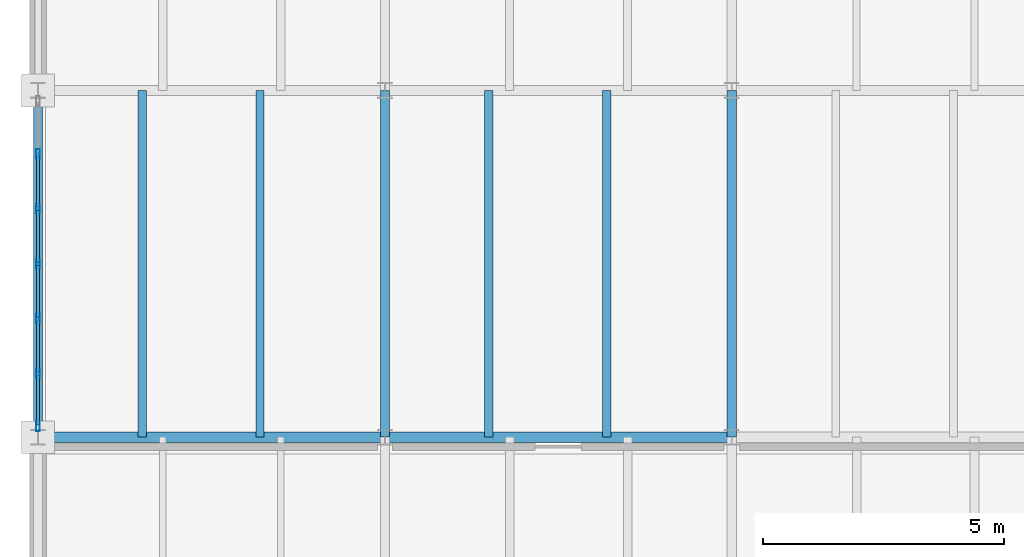
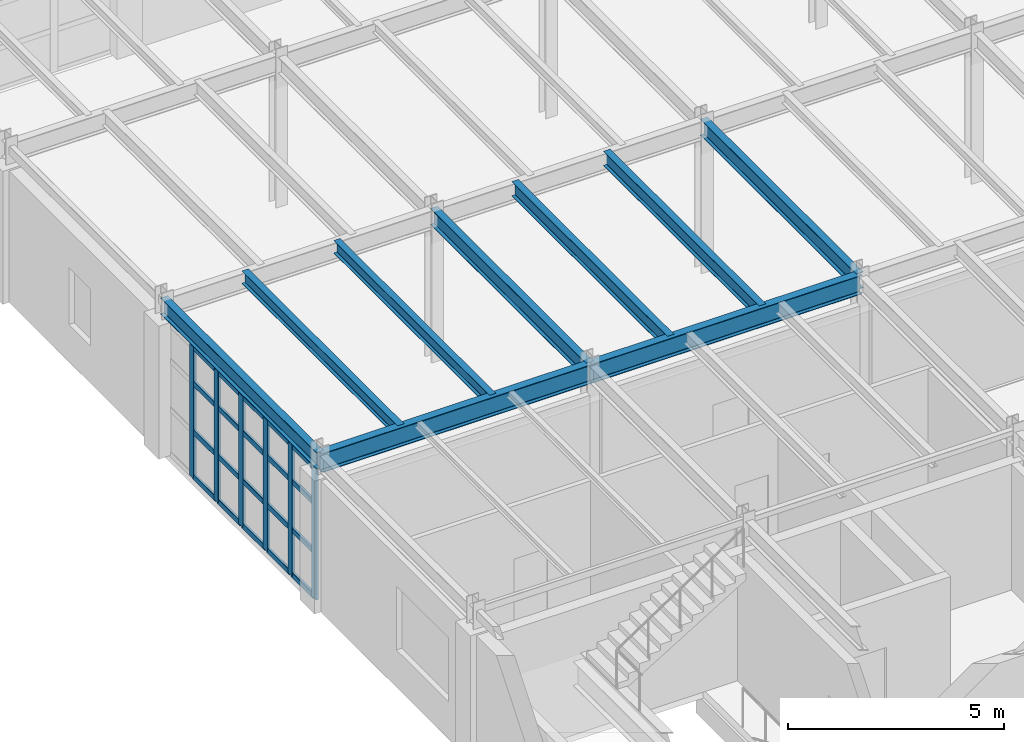
# One storey, part 34 of 137: 26 members, 9 beams, 1 element without a shape of its own.
"""IFC4 building model written with IfcOpenShell, lengths in metres."""

import ifcopenshell
import ifcopenshell.guid

model = None  # the IFC model being written
_history = None  # IfcOwnerHistory: only IFC2X3 demands one
_inside = {}  # id of a spatial element -> (the spatial element, [elements in it])
_under = {}  # id of a project, library or spatial element -> (it, [spatial elements below it])
_declared = {}  # id of a project -> (the project, [libraries it declares])
_typed = {}  # id of a type object -> (the type object, [elements of that type])
_made_of = {}  # id of a material, layer set ... -> (it, [elements and type objects made of it])


def new_model(schema):
    """Start an empty IFC model of exactly this schema.

    Asked for "IFC4X3", IfcOpenShell would pick the latest addendum, in which some entities
    have other attributes; the version numbers below select the first issue.
    IFC2X3 requires an IfcOwnerHistory on every rooted entity: one is made here for all.
    """
    global model, _history
    if schema == "IFC4X3":
        model = ifcopenshell.file(schema_version=(4, 3, 0, 0))
    else:
        model = ifcopenshell.file(schema=schema)
    _inside.clear()
    _under.clear()
    _declared.clear()
    _typed.clear()
    _made_of.clear()
    _history = None
    if model.schema == "IFC2X3":
        org = make("IfcOrganization", Name="unknown")
        user = make(
            "IfcPersonAndOrganization",
            ThePerson=make("IfcPerson", FamilyName="unknown"),
            TheOrganization=org,
        )
        app = make(
            "IfcApplication",
            ApplicationDeveloper=org,
            Version="unknown",
            ApplicationFullName="unknown",
            ApplicationIdentifier="unknown",
        )
        _history = make(
            "IfcOwnerHistory",
            OwningUser=user,
            OwningApplication=app,
            ChangeAction="ADDED",
            CreationDate=0,
        )
    return model


def make(cls, **values):
    """One entity of the class cls with the attributes given. An attribute that is None is left unset."""
    return model.create_entity(
        cls, **{name: value for name, value in values.items() if value is not None}
    )


def rooted(cls, **values):
    """An entity with a GlobalId (a new one), such as an element, a storey or a relation."""
    return make(cls, GlobalId=ifcopenshell.guid.new(), OwnerHistory=_history, **values)


def si_unit(unit_type, name, prefix=None):
    """IfcSIUnit, for example si_unit("LENGTHUNIT", "METRE", prefix="MILLI")."""
    return make("IfcSIUnit", UnitType=unit_type, Prefix=prefix, Name=name)


def assignment(units):
    """IfcUnitAssignment: the units of a project."""
    return None if units is None else make("IfcUnitAssignment", Units=units)


def point(xyz):
    """IfcCartesianPoint."""
    return None if xyz is None else make("IfcCartesianPoint", Coordinates=xyz)


def direction(xyz):
    """IfcDirection."""
    return None if xyz is None else make("IfcDirection", DirectionRatios=xyz)


def frame(location, z_axis=None, x_axis=None):
    """IfcAxis2Placement3D, a coordinate frame: its origin and axes. An axis left out is left unset."""
    return make(
        "IfcAxis2Placement3D",
        Location=point(location),
        Axis=direction(z_axis),
        RefDirection=direction(x_axis),
    )


def frame_2d(location, x_axis=None):
    """IfcAxis2Placement2D, a coordinate frame in the plane: its origin and x axis."""
    return make(
        "IfcAxis2Placement2D", Location=point(location), RefDirection=direction(x_axis)
    )


def origin():
    """The frame at (0, 0, 0) with its axes left unset."""
    return frame((0.0, 0.0, 0.0))


def origin_2d():
    """The frame at (0, 0) in the plane with its x axis left unset."""
    return frame_2d((0.0, 0.0))


def place(relative_to, where):
    """IfcLocalPlacement: puts the frame where relative to a parent placement (None: the world)."""
    return make(
        "IfcLocalPlacement", PlacementRelTo=relative_to, RelativePlacement=where
    )


def context(
    kind, dimensions, precision=None, world=None, true_north=None, identifier=None
):
    """IfcGeometricRepresentationContext, for example the 3D "Model" context."""
    return make(
        "IfcGeometricRepresentationContext",
        ContextIdentifier=identifier,
        ContextType=kind,
        CoordinateSpaceDimension=dimensions,
        Precision=precision,
        WorldCoordinateSystem=world,
        TrueNorth=true_north,
    )


def subcontext(parent, identifier, kind, view, scale=None):
    """IfcGeometricRepresentationSubContext, for example "Body" below "Model"."""
    return make(
        "IfcGeometricRepresentationSubContext",
        ContextIdentifier=identifier,
        ContextType=kind,
        ParentContext=parent,
        TargetScale=scale,
        TargetView=view,
    )


def project(units=None, contexts=None):
    """IfcProject with its units and contexts."""
    return rooted(
        "IfcProject",
        Name="project",
        RepresentationContexts=contexts,
        UnitsInContext=assignment(units),
    )


def spatial(cls, under=None, at=None, **own):
    """A site, building, storey or space (cls), placed at a placement, below another one or the project."""
    s = rooted(cls, ObjectPlacement=at, **own)
    if under is not None:
        _under.setdefault(under.id(), (under, []))[1].append(s)
    return s


def profile(cls, at=None, kind="AREA", **sizes):
    """A parametric profile (cls). Its sizes go by their IFC names, for example OverallWidth=200.0."""
    return make(cls, ProfileType=kind, Position=at, **sizes)


def hollow_rectangle(**sizes):
    """IfcRectangleHollowProfileDef."""
    return profile("IfcRectangleHollowProfileDef", **sizes)


def i_section(**sizes):
    """IfcIShapeProfileDef."""
    return profile("IfcIShapeProfileDef", **sizes)


def extrude(swept, where, along, depth):
    """IfcExtrudedAreaSolid: the profile swept, set in the frame where, extruded along a direction by depth."""
    return make(
        "IfcExtrudedAreaSolid",
        SweptArea=swept,
        Position=where,
        ExtrudedDirection=direction(along),
        Depth=depth,
    )


def shape(context_of_items, identifier, shape_type, items):
    """IfcShapeRepresentation: the items that make up one representation, for example the "Body"."""
    return make(
        "IfcShapeRepresentation",
        ContextOfItems=context_of_items,
        RepresentationIdentifier=identifier,
        RepresentationType=shape_type,
        Items=items,
    )


def material(Name=None, Category=None):
    """IfcMaterial."""
    return make("IfcMaterial", Name=Name, Category=Category)


def layer(
    of_material, thickness, ventilated=None, Name=None, Category=None, Priority=None
):
    """IfcMaterialLayer: one layer of a wall or slab, of a material (None: an air gap)."""
    return make(
        "IfcMaterialLayer",
        Material=of_material,
        LayerThickness=thickness,
        IsVentilated=ventilated,
        Name=Name,
        Category=Category,
        Priority=Priority,
    )


def layer_set(layers, Name=None):
    """IfcMaterialLayerSet."""
    return make("IfcMaterialLayerSet", MaterialLayers=layers, LayerSetName=Name)


def material_profile(
    of_material, cross_section, Name=None, Category=None, Priority=None
):
    """IfcMaterialProfile: a cross section and its material."""
    return make(
        "IfcMaterialProfile",
        Name=Name,
        Material=of_material,
        Profile=cross_section,
        Priority=Priority,
        Category=Category,
    )


def profile_set(profiles, Name=None, composite=None):
    """IfcMaterialProfileSet."""
    return make(
        "IfcMaterialProfileSet",
        Name=Name,
        MaterialProfiles=profiles,
        CompositeProfile=composite,
    )


def made_of(thing, what):
    """Note that an element or type object is made of a material, layer set ...; save() writes the relation."""
    if what is not None:
        _made_of.setdefault(what.id(), (what, []))[1].append(thing)
    return thing


def type_object(cls, material=None, **own):
    """A type object (cls), such as IfcWallType, which elements share."""
    return made_of(rooted(cls, **own), material)


def element(
    cls,
    number,
    at=None,
    inside=None,
    cuts=None,
    type_object=None,
    material=None,
    context=None,
    identifier="Body",
    shape_type=None,
    held_by="IfcProductDefinitionShape",
    body=None,
    shapes=None,
    **own,
):
    """One element of the class cls, such as IfcWall. Its Tag is "e" and its number.

    at: its placement. inside: the storey or other place that contains it. cuts: it is an
    opening in that element (IfcRelVoidsElement). A single representation is given by context,
    identifier, shape_type and body (its items); several are given by shapes. held_by: the class
    of the entity that holds the representations. save() writes the other relations.
    """
    e = rooted(cls, Tag="e%d" % number, ObjectPlacement=at, **own)
    if body is not None:
        shapes = [shape(context, identifier, shape_type, body)]
    if shapes is not None:
        e.Representation = make(held_by, Representations=shapes)
    if inside is not None:
        _inside.setdefault(inside.id(), (inside, []))[1].append(e)
    if cuts is not None:
        rooted(
            "IfcRelVoidsElement", RelatingBuildingElement=cuts, RelatedOpeningElement=e
        )
    if type_object is not None:
        _typed.setdefault(type_object.id(), (type_object, []))[1].append(e)
    return made_of(e, material)


def aggregate(whole, parts):
    """IfcRelAggregates: a whole, such as a stair, and the parts it consists of."""
    return rooted("IfcRelAggregates", RelatingObject=whole, RelatedObjects=parts)


def save(model, path):
    """Write the relations noted so far, then the file.

    IfcRelAggregates (storeys below a building ...), IfcRelContainedInSpatialStructure (elements
    in a storey), IfcRelDefinesByType, IfcRelAssociatesMaterial and IfcRelDeclares: one each for
    every whole, place, type object, material and project.
    """
    for whole, parts in _under.values():
        aggregate(whole, parts)
    for where, things in _inside.values():
        rooted(
            "IfcRelContainedInSpatialStructure",
            RelatedElements=things,
            RelatingStructure=where,
        )
    for kind, things in _typed.values():
        rooted("IfcRelDefinesByType", RelatedObjects=things, RelatingType=kind)
    for what, things in _made_of.values():
        rooted("IfcRelAssociatesMaterial", RelatedObjects=things, RelatingMaterial=what)
    for by, libraries in _declared.values():
        rooted("IfcRelDeclares", RelatingContext=by, RelatedDefinitions=libraries)
    model.write(path)


model = new_model("IFC4")

# Units and contexts
model_context = context("Model", 3, precision=1e-05, world=origin(), true_north=direction((0.0, 1.0)))
body_context = subcontext(model_context, "Body", "Model", "MODEL_VIEW")
ifc_project = project(units=[si_unit("LENGTHUNIT", "METRE"), si_unit("AREAUNIT", "SQUARE_METRE"), si_unit("VOLUMEUNIT", "CUBIC_METRE"), si_unit("PLANEANGLEUNIT", "RADIAN"), si_unit("MASSUNIT", "GRAM", prefix="KILO")], contexts=[model_context])

# Site, building, storey
site_placement = place(None, origin())
site = spatial("IfcSite", under=ifc_project, at=site_placement, CompositionType="ELEMENT")
building_placement = place(site_placement, origin())
building = spatial("IfcBuilding", under=site, at=building_placement, Name="Kemerveld Promenade Tramway Depot", CompositionType="ELEMENT")
storey_placement = place(building_placement, frame((0.0, 0.0, 5.39990234375)))
storey = spatial("IfcBuildingStorey", under=building, at=storey_placement, Name="L01", CompositionType="ELEMENT", Elevation=5.39990234375)

# Beams
ifc_material_1 = material(Name="Steel S355", Category="steel")
ifc_material_profile_1 = material_profile(ifc_material_1, i_section(OverallWidth=0.2099609375, OverallDepth=0.53662109375, WebThickness=0.0107421875, FlangeThickness=0.017333984375, FilletRadius=0.0126953125, at=origin_2d()), Name="533x210x101 UB")
ifc_profile_set_1 = profile_set([ifc_material_profile_1], Name="Steel S355")
beam_type_1 = type_object("IfcBeamType", Name="BM-G05", PredefinedType="BEAM", material=ifc_profile_set_1)
for number, where, z_axis, x_axis, name in (
    (1, (0.0, 57.60009765625, 3.99169921875), (1.0, 0.0, 0.0), (0.0, 1.0, 0.0), "BMX-L01-01-02-J"),
    (2, (7.199951171875, 57.60009765625, 3.99169921875), (1.0, 0.0, 0.0), (0.0, 1.0, 0.0), "BMX-L01-02-03-J"),
):
    element("IfcBeam", number, at=place(storey_placement, frame(where, z_axis=z_axis, x_axis=x_axis)), inside=storey, type_object=beam_type_1, Name=name, PredefinedType="BEAM", context=body_context, shape_type="SweptSolid", body=[
        extrude(i_section(OverallWidth=0.2099609375, OverallDepth=0.53662109375, WebThickness=0.0107421875, FlangeThickness=0.017333984375, FilletRadius=0.0126953125, at=origin_2d()), origin(), (0.0, 0.0, 1.0), 7.199951171875),
    ])
ifc_material_profile_2 = material_profile(ifc_material_1, i_section(OverallWidth=0.19140625, OverallDepth=0.4599609375, WebThickness=0.010009765625, FlangeThickness=0.01611328125, FilletRadius=0.01025390625, at=origin_2d()), Name="457x191x82 UB")
ifc_profile_set_2 = profile_set([ifc_material_profile_2], Name="Steel S355")
beam_type_2 = type_object("IfcBeamType", Name="BM-G06", PredefinedType="BEAM", material=ifc_profile_set_2)
for number, where, z_axis, x_axis, name in (
    (3, (0.0, 57.60009765625, 4.030029296875), (0.0, 1.0, 0.0), (-1.0, 0.0, 0.0), "BMY-L01-01-J-K"),
    (4, (7.199951171875, 57.60009765625, 4.030029296875), (0.0, 1.0, 0.0), (-1.0, 0.0, 0.0), "BMY-L01-02-J-K"),
    (5, (14.39990234375, 57.60009765625, 4.030029296875), (0.0, 1.0, 0.0), (-1.0, 0.0, 0.0), "BMY-L01-03-J-K"),
):
    element("IfcBeam", number, at=place(storey_placement, frame(where, z_axis=z_axis, x_axis=x_axis)), inside=storey, type_object=beam_type_2, Name=name, PredefinedType="BEAM", context=body_context, shape_type="SweptSolid", body=[
        extrude(i_section(OverallWidth=0.19140625, OverallDepth=0.4599609375, WebThickness=0.010009765625, FlangeThickness=0.01611328125, FilletRadius=0.01025390625, at=origin_2d()), origin(), (0.0, 0.0, 1.0), 7.199951171875),
    ])
ifc_material_profile_3 = material_profile(ifc_material_1, i_section(OverallWidth=0.172119140625, OverallDepth=0.35791015625, WebThickness=0.008056640625, FlangeThickness=0.012939453125, FilletRadius=0.01025390625, at=origin_2d()), Name="356x171x57 UB")
ifc_profile_set_3 = profile_set([ifc_material_profile_3], Name="Steel S355")
beam_type_3 = type_object("IfcBeamType", Name="BM-J04", PredefinedType="JOIST", material=ifc_profile_set_3)
for number, where, z_axis, x_axis, name in (
    (6, (2.159912109375, 57.60009765625, 4.0810546875), (0.0, 1.0, 0.0), (-1.0, 0.0, 0.0), "JST-L01-01-J-1"),
    (7, (4.60791015625, 57.60009765625, 4.0810546875), (0.0, 1.0, 0.0), (-1.0, 0.0, 0.0), "JST-L01-01-J-2"),
):
    element("IfcBeam", number, at=place(storey_placement, frame(where, z_axis=z_axis, x_axis=x_axis)), inside=storey, type_object=beam_type_3, Name=name, PredefinedType="JOIST", context=body_context, shape_type="SweptSolid", body=[
        extrude(i_section(OverallWidth=0.172119140625, OverallDepth=0.35791015625, WebThickness=0.008056640625, FlangeThickness=0.012939453125, FilletRadius=0.01025390625, at=origin_2d()), origin(), (0.0, 0.0, 1.0), 7.199951171875),
    ])
ifc_material_profile_4 = material_profile(ifc_material_1, i_section(OverallWidth=0.1787109375, OverallDepth=0.409423828125, WebThickness=0.0087890625, FlangeThickness=0.014404296875, FilletRadius=0.01025390625, at=origin_2d()), Name="406x178x67 UB")
ifc_profile_set_4 = profile_set([ifc_material_profile_4], Name="Steel S355")
beam_type_4 = type_object("IfcBeamType", Name="BM-J05", PredefinedType="JOIST", material=ifc_profile_set_4)
for number, where, z_axis, x_axis, name in (
    (8, (9.360107421875, 57.60009765625, 4.055419921875), (0.0, 1.0, 0.0), (-1.0, 0.0, 0.0), "JST-L01-02-J-1"),
    (9, (11.80810546875, 57.60009765625, 4.055419921875), (0.0, 1.0, 0.0), (-1.0, 0.0, 0.0), "JST-L01-02-J-2"),
):
    element("IfcBeam", number, at=place(storey_placement, frame(where, z_axis=z_axis, x_axis=x_axis)), inside=storey, type_object=beam_type_4, Name=name, PredefinedType="JOIST", context=body_context, shape_type="SweptSolid", body=[
        extrude(i_section(OverallWidth=0.1787109375, OverallDepth=0.409423828125, WebThickness=0.0087890625, FlangeThickness=0.014404296875, FilletRadius=0.01025390625, at=origin_2d()), origin(), (0.0, 0.0, 1.0), 7.199951171875),
    ])

# Curtain wall, members
ifc_material_2 = material(Name="Bronze anodised aluminium and solar glass", Category="aluminium")
ifc_layer = layer(ifc_material_2, 0.199951171875)
ifc_layer_set = layer_set([ifc_layer], Name="CW-SYS-12")
curtain_wall_type = type_object("IfcCurtainWallType", Name="CW-SYS-12", PredefinedType="USERDEFINED", material=ifc_layer_set)
curtain_wall_placement = place(storey_placement, origin())
curtain_wall = element("IfcCurtainWall", 10, at=curtain_wall_placement, inside=storey, type_object=curtain_wall_type, Name="CW-L01-V5W-09", ObjectType="GLAZED_CURTAIN_WALL", PredefinedType="USERDEFINED")
ifc_material_3 = material(Name="Bronze anodised aluminium", Category="aluminium")
ifc_material_profile_5 = material_profile(ifc_material_3, hollow_rectangle(XDim=0.074951171875, YDim=0.199951171875, WallThickness=0.0048828125, InnerFilletRadius=0.001953125, OuterFilletRadius=0.0048828125, at=origin_2d()), Name="CW-MUL-200x75")
ifc_profile_set_5 = profile_set([ifc_material_profile_5], Name="Bronze anodised aluminium")
member_type_1 = type_object("IfcMemberType", Name="CW-MUL-B", PredefinedType="MULLION", material=ifc_profile_set_5)
member_1_placement = place(storey_placement, frame((0.0, 57.821044921875, 0.0), z_axis=(0.0, 0.0, 1.0), x_axis=(-1.0, 0.0, 0.0)))
member_1 = element("IfcMember", 11, at=member_1_placement, type_object=member_type_1, Name="CW12 mullion 1", PredefinedType="MULLION", context=body_context, shape_type="SweptSolid", body=[
    extrude(hollow_rectangle(XDim=0.074951171875, YDim=0.199951171875, WallThickness=0.0048828125, InnerFilletRadius=0.001953125, OuterFilletRadius=0.0048828125, at=origin_2d()), origin(), (0.0, 0.0, 1.0), 3.70361328125),
])
member_2_placement = place(storey_placement, frame((0.0, 58.92236328125, 0.0), z_axis=(0.0, 0.0, 1.0), x_axis=(-1.0, 0.0, 0.0)))
member_2 = element("IfcMember", 12, at=member_2_placement, type_object=member_type_1, Name="CW12 mullion 2", PredefinedType="MULLION", context=body_context, shape_type="SweptSolid", body=[
    extrude(hollow_rectangle(XDim=0.074951171875, YDim=0.199951171875, WallThickness=0.0048828125, InnerFilletRadius=0.001953125, OuterFilletRadius=0.0048828125, at=origin_2d()), origin(), (0.0, 0.0, 1.0), 3.70361328125),
])
member_3_placement = place(storey_placement, frame((0.0, 60.061279296875, 0.0), z_axis=(0.0, 0.0, 1.0), x_axis=(-1.0, 0.0, 0.0)))
member_3 = element("IfcMember", 13, at=member_3_placement, type_object=member_type_1, Name="CW12 mullion 3", PredefinedType="MULLION", context=body_context, shape_type="SweptSolid", body=[
    extrude(hollow_rectangle(XDim=0.074951171875, YDim=0.199951171875, WallThickness=0.0048828125, InnerFilletRadius=0.001953125, OuterFilletRadius=0.0048828125, at=origin_2d()), origin(), (0.0, 0.0, 1.0), 3.70361328125),
])
member_4_placement = place(storey_placement, frame((0.0, 61.199951171875, 0.0), z_axis=(0.0, 0.0, 1.0), x_axis=(-1.0, 0.0, 0.0)))
member_4 = element("IfcMember", 14, at=member_4_placement, type_object=member_type_1, Name="CW12 mullion 4", PredefinedType="MULLION", context=body_context, shape_type="SweptSolid", body=[
    extrude(hollow_rectangle(XDim=0.074951171875, YDim=0.199951171875, WallThickness=0.0048828125, InnerFilletRadius=0.001953125, OuterFilletRadius=0.0048828125, at=origin_2d()), origin(), (0.0, 0.0, 1.0), 3.70361328125),
])
member_5_placement = place(storey_placement, frame((0.0, 62.3388671875, 0.0), z_axis=(0.0, 0.0, 1.0), x_axis=(-1.0, 0.0, 0.0)))
member_5 = element("IfcMember", 15, at=member_5_placement, type_object=member_type_1, Name="CW12 mullion 5", PredefinedType="MULLION", context=body_context, shape_type="SweptSolid", body=[
    extrude(hollow_rectangle(XDim=0.074951171875, YDim=0.199951171875, WallThickness=0.0048828125, InnerFilletRadius=0.001953125, OuterFilletRadius=0.0048828125, at=origin_2d()), origin(), (0.0, 0.0, 1.0), 3.70361328125),
])
member_6_placement = place(storey_placement, frame((0.0, 63.477783203125, 0.0), z_axis=(0.0, 0.0, 1.0), x_axis=(-1.0, 0.0, 0.0)))
member_6 = element("IfcMember", 16, at=member_6_placement, type_object=member_type_1, Name="CW12 mullion 6", PredefinedType="MULLION", context=body_context, shape_type="SweptSolid", body=[
    extrude(hollow_rectangle(XDim=0.074951171875, YDim=0.199951171875, WallThickness=0.0048828125, InnerFilletRadius=0.001953125, OuterFilletRadius=0.0048828125, at=origin_2d()), origin(), (0.0, 0.0, 1.0), 3.70361328125),
])
ifc_material_profile_6 = material_profile(ifc_material_3, hollow_rectangle(XDim=0.06494140625, YDim=0.14990234375, WallThickness=0.00439453125, InnerFilletRadius=0.001953125, OuterFilletRadius=0.00439453125, at=origin_2d()), Name="CW-TRN-150x65")
ifc_profile_set_6 = profile_set([ifc_material_profile_6], Name="Bronze anodised aluminium")
member_type_2 = type_object("IfcMemberType", Name="CW-TRN-B", PredefinedType="USERDEFINED", material=ifc_profile_set_6)
member_7_placement = place(storey_placement, frame((0.0, 57.8583984375, 0.03271484375), z_axis=(0.0, 1.0, 0.0), x_axis=(-1.0, 0.0, 0.0)))
member_7 = element("IfcMember", 17, at=member_7_placement, type_object=member_type_2, Name="CW12 transom 1.1", ObjectType="TRANSOM", PredefinedType="USERDEFINED", context=body_context, shape_type="SweptSolid", body=[
    extrude(hollow_rectangle(XDim=0.06494140625, YDim=0.14990234375, WallThickness=0.00439453125, InnerFilletRadius=0.001953125, OuterFilletRadius=0.00439453125, at=origin_2d()), origin(), (0.0, 0.0, 1.0), 1.0263671875),
])
member_8_placement = place(storey_placement, frame((0.0, 57.8583984375, 1.296142578125), z_axis=(0.0, 1.0, 0.0), x_axis=(-1.0, 0.0, 0.0)))
member_8 = element("IfcMember", 18, at=member_8_placement, type_object=member_type_2, Name="CW12 transom 1.2", ObjectType="TRANSOM", PredefinedType="USERDEFINED", context=body_context, shape_type="SweptSolid", body=[
    extrude(hollow_rectangle(XDim=0.06494140625, YDim=0.14990234375, WallThickness=0.00439453125, InnerFilletRadius=0.001953125, OuterFilletRadius=0.00439453125, at=origin_2d()), origin(), (0.0, 0.0, 1.0), 1.0263671875),
])
member_9_placement = place(storey_placement, frame((0.0, 57.8583984375, 2.666015625), z_axis=(0.0, 1.0, 0.0), x_axis=(-1.0, 0.0, 0.0)))
member_9 = element("IfcMember", 19, at=member_9_placement, type_object=member_type_2, Name="CW12 transom 1.3", ObjectType="TRANSOM", PredefinedType="USERDEFINED", context=body_context, shape_type="SweptSolid", body=[
    extrude(hollow_rectangle(XDim=0.06494140625, YDim=0.14990234375, WallThickness=0.00439453125, InnerFilletRadius=0.001953125, OuterFilletRadius=0.00439453125, at=origin_2d()), origin(), (0.0, 0.0, 1.0), 1.0263671875),
])
member_10_placement = place(storey_placement, frame((0.0, 57.8583984375, 3.6708984375), z_axis=(0.0, 1.0, 0.0), x_axis=(-1.0, 0.0, 0.0)))
member_10 = element("IfcMember", 20, at=member_10_placement, type_object=member_type_2, Name="CW12 transom 1.4", ObjectType="TRANSOM", PredefinedType="USERDEFINED", context=body_context, shape_type="SweptSolid", body=[
    extrude(hollow_rectangle(XDim=0.06494140625, YDim=0.14990234375, WallThickness=0.00439453125, InnerFilletRadius=0.001953125, OuterFilletRadius=0.00439453125, at=origin_2d()), origin(), (0.0, 0.0, 1.0), 1.0263671875),
])
member_11_placement = place(storey_placement, frame((0.0, 58.959716796875, 0.03271484375), z_axis=(0.0, 1.0, 0.0), x_axis=(-1.0, 0.0, 0.0)))
member_11 = element("IfcMember", 21, at=member_11_placement, type_object=member_type_2, Name="CW12 transom 2.1", ObjectType="TRANSOM", PredefinedType="USERDEFINED", context=body_context, shape_type="SweptSolid", body=[
    extrude(hollow_rectangle(XDim=0.06494140625, YDim=0.14990234375, WallThickness=0.00439453125, InnerFilletRadius=0.001953125, OuterFilletRadius=0.00439453125, at=origin_2d()), origin(), (0.0, 0.0, 1.0), 1.06396484375),
])
member_12_placement = place(storey_placement, frame((0.0, 58.959716796875, 1.296142578125), z_axis=(0.0, 1.0, 0.0), x_axis=(-1.0, 0.0, 0.0)))
member_12 = element("IfcMember", 22, at=member_12_placement, type_object=member_type_2, Name="CW12 transom 2.2", ObjectType="TRANSOM", PredefinedType="USERDEFINED", context=body_context, shape_type="SweptSolid", body=[
    extrude(hollow_rectangle(XDim=0.06494140625, YDim=0.14990234375, WallThickness=0.00439453125, InnerFilletRadius=0.001953125, OuterFilletRadius=0.00439453125, at=origin_2d()), origin(), (0.0, 0.0, 1.0), 1.06396484375),
])
member_13_placement = place(storey_placement, frame((0.0, 58.959716796875, 2.666015625), z_axis=(0.0, 1.0, 0.0), x_axis=(-1.0, 0.0, 0.0)))
member_13 = element("IfcMember", 23, at=member_13_placement, type_object=member_type_2, Name="CW12 transom 2.3", ObjectType="TRANSOM", PredefinedType="USERDEFINED", context=body_context, shape_type="SweptSolid", body=[
    extrude(hollow_rectangle(XDim=0.06494140625, YDim=0.14990234375, WallThickness=0.00439453125, InnerFilletRadius=0.001953125, OuterFilletRadius=0.00439453125, at=origin_2d()), origin(), (0.0, 0.0, 1.0), 1.06396484375),
])
member_14_placement = place(storey_placement, frame((0.0, 58.959716796875, 3.6708984375), z_axis=(0.0, 1.0, 0.0), x_axis=(-1.0, 0.0, 0.0)))
member_14 = element("IfcMember", 24, at=member_14_placement, type_object=member_type_2, Name="CW12 transom 2.4", ObjectType="TRANSOM", PredefinedType="USERDEFINED", context=body_context, shape_type="SweptSolid", body=[
    extrude(hollow_rectangle(XDim=0.06494140625, YDim=0.14990234375, WallThickness=0.00439453125, InnerFilletRadius=0.001953125, OuterFilletRadius=0.00439453125, at=origin_2d()), origin(), (0.0, 0.0, 1.0), 1.06396484375),
])
member_15_placement = place(storey_placement, frame((0.0, 60.0986328125, 0.03271484375), z_axis=(0.0, 1.0, 0.0), x_axis=(-1.0, 0.0, 0.0)))
member_15 = element("IfcMember", 25, at=member_15_placement, type_object=member_type_2, Name="CW12 transom 3.1", ObjectType="TRANSOM", PredefinedType="USERDEFINED", context=body_context, shape_type="SweptSolid", body=[
    extrude(hollow_rectangle(XDim=0.06494140625, YDim=0.14990234375, WallThickness=0.00439453125, InnerFilletRadius=0.001953125, OuterFilletRadius=0.00439453125, at=origin_2d()), origin(), (0.0, 0.0, 1.0), 1.06396484375),
])
member_16_placement = place(storey_placement, frame((0.0, 60.0986328125, 1.296142578125), z_axis=(0.0, 1.0, 0.0), x_axis=(-1.0, 0.0, 0.0)))
member_16 = element("IfcMember", 26, at=member_16_placement, type_object=member_type_2, Name="CW12 transom 3.2", ObjectType="TRANSOM", PredefinedType="USERDEFINED", context=body_context, shape_type="SweptSolid", body=[
    extrude(hollow_rectangle(XDim=0.06494140625, YDim=0.14990234375, WallThickness=0.00439453125, InnerFilletRadius=0.001953125, OuterFilletRadius=0.00439453125, at=origin_2d()), origin(), (0.0, 0.0, 1.0), 1.06396484375),
])
member_17_placement = place(storey_placement, frame((0.0, 60.0986328125, 2.666015625), z_axis=(0.0, 1.0, 0.0), x_axis=(-1.0, 0.0, 0.0)))
member_17 = element("IfcMember", 27, at=member_17_placement, type_object=member_type_2, Name="CW12 transom 3.3", ObjectType="TRANSOM", PredefinedType="USERDEFINED", context=body_context, shape_type="SweptSolid", body=[
    extrude(hollow_rectangle(XDim=0.06494140625, YDim=0.14990234375, WallThickness=0.00439453125, InnerFilletRadius=0.001953125, OuterFilletRadius=0.00439453125, at=origin_2d()), origin(), (0.0, 0.0, 1.0), 1.06396484375),
])
member_18_placement = place(storey_placement, frame((0.0, 60.0986328125, 3.6708984375), z_axis=(0.0, 1.0, 0.0), x_axis=(-1.0, 0.0, 0.0)))
member_18 = element("IfcMember", 28, at=member_18_placement, type_object=member_type_2, Name="CW12 transom 3.4", ObjectType="TRANSOM", PredefinedType="USERDEFINED", context=body_context, shape_type="SweptSolid", body=[
    extrude(hollow_rectangle(XDim=0.06494140625, YDim=0.14990234375, WallThickness=0.00439453125, InnerFilletRadius=0.001953125, OuterFilletRadius=0.00439453125, at=origin_2d()), origin(), (0.0, 0.0, 1.0), 1.06396484375),
])
member_19_placement = place(storey_placement, frame((0.0, 61.237548828125, 0.03271484375), z_axis=(0.0, 1.0, 0.0), x_axis=(-1.0, 0.0, 0.0)))
member_19 = element("IfcMember", 29, at=member_19_placement, type_object=member_type_2, Name="CW12 transom 4.1", ObjectType="TRANSOM", PredefinedType="USERDEFINED", context=body_context, shape_type="SweptSolid", body=[
    extrude(hollow_rectangle(XDim=0.06494140625, YDim=0.14990234375, WallThickness=0.00439453125, InnerFilletRadius=0.001953125, OuterFilletRadius=0.00439453125, at=origin_2d()), origin(), (0.0, 0.0, 1.0), 1.063720703125),
])
member_20_placement = place(storey_placement, frame((0.0, 61.237548828125, 1.296142578125), z_axis=(0.0, 1.0, 0.0), x_axis=(-1.0, 0.0, 0.0)))
member_20 = element("IfcMember", 30, at=member_20_placement, type_object=member_type_2, Name="CW12 transom 4.2", ObjectType="TRANSOM", PredefinedType="USERDEFINED", context=body_context, shape_type="SweptSolid", body=[
    extrude(hollow_rectangle(XDim=0.06494140625, YDim=0.14990234375, WallThickness=0.00439453125, InnerFilletRadius=0.001953125, OuterFilletRadius=0.00439453125, at=origin_2d()), origin(), (0.0, 0.0, 1.0), 1.063720703125),
])
member_21_placement = place(storey_placement, frame((0.0, 61.237548828125, 2.666015625), z_axis=(0.0, 1.0, 0.0), x_axis=(-1.0, 0.0, 0.0)))
member_21 = element("IfcMember", 31, at=member_21_placement, type_object=member_type_2, Name="CW12 transom 4.3", ObjectType="TRANSOM", PredefinedType="USERDEFINED", context=body_context, shape_type="SweptSolid", body=[
    extrude(hollow_rectangle(XDim=0.06494140625, YDim=0.14990234375, WallThickness=0.00439453125, InnerFilletRadius=0.001953125, OuterFilletRadius=0.00439453125, at=origin_2d()), origin(), (0.0, 0.0, 1.0), 1.063720703125),
])
member_22_placement = place(storey_placement, frame((0.0, 61.237548828125, 3.6708984375), z_axis=(0.0, 1.0, 0.0), x_axis=(-1.0, 0.0, 0.0)))
member_22 = element("IfcMember", 32, at=member_22_placement, type_object=member_type_2, Name="CW12 transom 4.4", ObjectType="TRANSOM", PredefinedType="USERDEFINED", context=body_context, shape_type="SweptSolid", body=[
    extrude(hollow_rectangle(XDim=0.06494140625, YDim=0.14990234375, WallThickness=0.00439453125, InnerFilletRadius=0.001953125, OuterFilletRadius=0.00439453125, at=origin_2d()), origin(), (0.0, 0.0, 1.0), 1.063720703125),
])
member_23_placement = place(storey_placement, frame((0.0, 62.376220703125, 0.03271484375), z_axis=(0.0, 1.0, 0.0), x_axis=(-1.0, 0.0, 0.0)))
member_23 = element("IfcMember", 33, at=member_23_placement, type_object=member_type_2, Name="CW12 transom 5.1", ObjectType="TRANSOM", PredefinedType="USERDEFINED", context=body_context, shape_type="SweptSolid", body=[
    extrude(hollow_rectangle(XDim=0.06494140625, YDim=0.14990234375, WallThickness=0.00439453125, InnerFilletRadius=0.001953125, OuterFilletRadius=0.00439453125, at=origin_2d()), origin(), (0.0, 0.0, 1.0), 1.06396484375),
])
member_24_placement = place(storey_placement, frame((0.0, 62.376220703125, 1.296142578125), z_axis=(0.0, 1.0, 0.0), x_axis=(-1.0, 0.0, 0.0)))
member_24 = element("IfcMember", 34, at=member_24_placement, type_object=member_type_2, Name="CW12 transom 5.2", ObjectType="TRANSOM", PredefinedType="USERDEFINED", context=body_context, shape_type="SweptSolid", body=[
    extrude(hollow_rectangle(XDim=0.06494140625, YDim=0.14990234375, WallThickness=0.00439453125, InnerFilletRadius=0.001953125, OuterFilletRadius=0.00439453125, at=origin_2d()), origin(), (0.0, 0.0, 1.0), 1.06396484375),
])
member_25_placement = place(storey_placement, frame((0.0, 62.376220703125, 2.666015625), z_axis=(0.0, 1.0, 0.0), x_axis=(-1.0, 0.0, 0.0)))
member_25 = element("IfcMember", 35, at=member_25_placement, type_object=member_type_2, Name="CW12 transom 5.3", ObjectType="TRANSOM", PredefinedType="USERDEFINED", context=body_context, shape_type="SweptSolid", body=[
    extrude(hollow_rectangle(XDim=0.06494140625, YDim=0.14990234375, WallThickness=0.00439453125, InnerFilletRadius=0.001953125, OuterFilletRadius=0.00439453125, at=origin_2d()), origin(), (0.0, 0.0, 1.0), 1.06396484375),
])
member_26_placement = place(storey_placement, frame((0.0, 62.376220703125, 3.6708984375), z_axis=(0.0, 1.0, 0.0), x_axis=(-1.0, 0.0, 0.0)))
member_26 = element("IfcMember", 36, at=member_26_placement, type_object=member_type_2, Name="CW12 transom 5.4", ObjectType="TRANSOM", PredefinedType="USERDEFINED", context=body_context, shape_type="SweptSolid", body=[
    extrude(hollow_rectangle(XDim=0.06494140625, YDim=0.14990234375, WallThickness=0.00439453125, InnerFilletRadius=0.001953125, OuterFilletRadius=0.00439453125, at=origin_2d()), origin(), (0.0, 0.0, 1.0), 1.06396484375),
])
aggregate(curtain_wall, [member_1, member_2, member_3, member_4, member_5, member_6, member_7, member_8, member_9, member_10, member_11, member_12, member_13, member_14, member_15, member_16, member_17, member_18, member_19, member_20, member_21, member_22, member_23, member_24, member_25, member_26])

save(model, "model.ifc")
